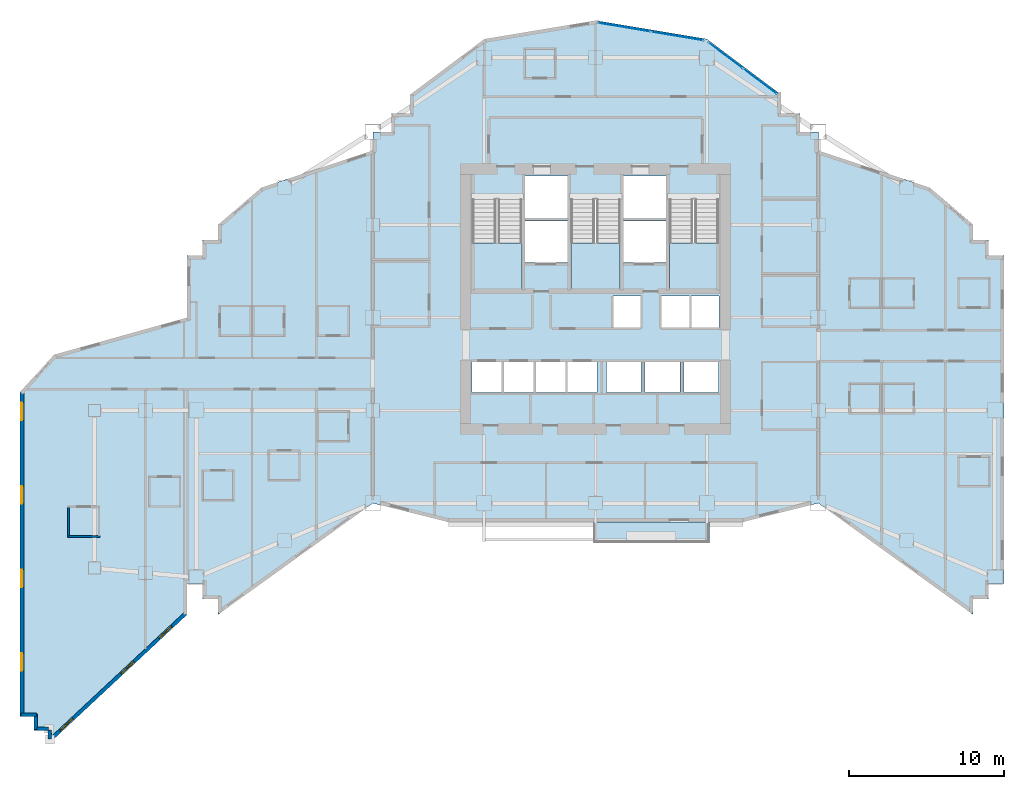
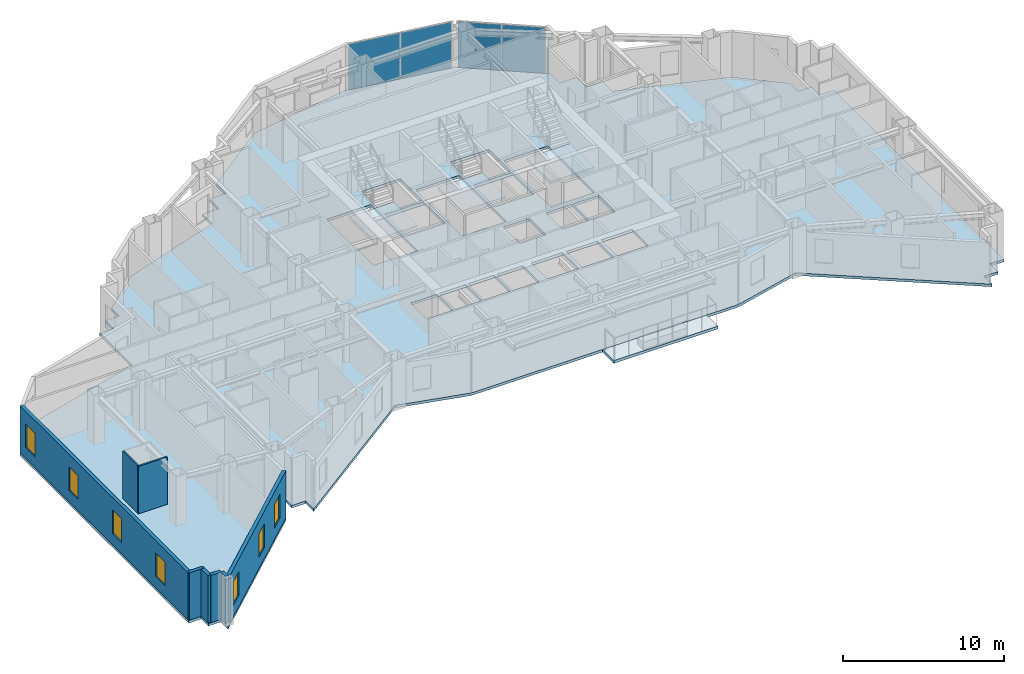
# One storey, part 6 of 15: 8 walls, 7 windows, 5 slabs, 4 plates, 7 openings, 5 elements without a shape of their own.
"""IFC4 building model written with IfcOpenShell, lengths in metres."""

from ifc_helpers import new_model, si_unit, direction, frame, frame_2d, origin, origin_2d, place, context, subcontext, project, spatial, polyline, rectangle, outline, extrude, material, layer, layer_set, type_object, element, fill, aggregate, save


model = new_model("IFC4")

# Units and contexts
model_context = context("Model", 3, precision=1e-05, world=origin(), true_north=direction((0.0, 1.0)))
body_context = subcontext(model_context, "Body", "Model", "MODEL_VIEW")
ifc_project = project(units=[si_unit("LENGTHUNIT", "METRE"), si_unit("AREAUNIT", "SQUARE_METRE"), si_unit("VOLUMEUNIT", "CUBIC_METRE"), si_unit("PLANEANGLEUNIT", "RADIAN"), si_unit("MASSUNIT", "GRAM", prefix="KILO")], contexts=[model_context])

# Site, building, storey
site_placement = place(None, origin())
site = spatial("IfcSite", under=ifc_project, at=site_placement, CompositionType="ELEMENT")
building_placement = place(site_placement, origin())
building = spatial("IfcBuilding", under=site, at=building_placement, Name="Haolan Belvedere Tower", CompositionType="ELEMENT")
storey_placement = place(building_placement, frame((0.0, 0.0, 152.39990234375)))
storey = spatial("IfcBuildingStorey", under=building, at=storey_placement, Name="L38", CompositionType="ELEMENT", Elevation=152.39990234375)

# Curtain wall, plates
ifc_material_1 = material(Name="Anodised champagne-silver aluminium 6063-T6 and Low-E glass", Category="aluminium")
ifc_layer_1 = layer(ifc_material_1, 0.155029296875, Name="Anodised champagne-silver aluminium 6063-T6 and Low-E glass")
ifc_layer_set_1 = layer_set([ifc_layer_1], Name="Anodised champagne-silver aluminium 6063-T6 and Low-E glass")
curtain_wall_type = type_object("IfcCurtainWallType", Name="CW-SYS-03", PredefinedType="NOTDEFINED", material=ifc_layer_set_1)
curtain_wall_1_placement = place(storey_placement, origin())
curtain_wall_1 = element("IfcCurtainWall", 1, at=curtain_wall_1_placement, inside=storey, type_object=curtain_wall_type, Name="L38 CW-SYS-03 ribbon curtain wall 26.1", PredefinedType="NOTDEFINED")
ifc_material_2 = material(Name="Double silver Low-E laminated insulating glass", Category="glass")
ifc_layer_2 = layer(ifc_material_2, 0.02392578125, Name="Double silver Low-E laminated insulating glass")
ifc_layer_set_2 = layer_set([ifc_layer_2], Name="Double silver Low-E laminated insulating glass")
plate_type = type_object("IfcPlateType", Name="CW-SYS-03-PNL", PredefinedType="CURTAIN_PANEL", material=ifc_layer_set_2)
plate_1_placement = place(storey_placement, frame((49.0302734375, 48.877197265625, 0.05419921875), z_axis=(0.0, 0.0, 1.0), x_axis=(-0.800004262313, 0.599994316874, 0.0)))
plate_1 = element("IfcPlate", 2, at=plate_1_placement, type_object=plate_type, Name="CW-03 panel 1.1", PredefinedType="CURTAIN_PANEL", context=body_context, shape_type="SweptSolid", body=[
    extrude(rectangle(XDim=2.728271484375, YDim=0.02392578125, at=origin_2d()), origin(), (0.0, 0.0, 1.0), 3.491943359375),
])
plate_2_placement = place(storey_placement, frame((46.80126953125, 50.549072265625, 0.05419921875), z_axis=(0.0, 0.0, 1.0), x_axis=(-0.800004262313, 0.599994316874, 0.0)))
plate_2 = element("IfcPlate", 3, at=plate_2_placement, type_object=plate_type, Name="CW-03 panel 2.1", PredefinedType="CURTAIN_PANEL", context=body_context, shape_type="SweptSolid", body=[
    extrude(rectangle(XDim=2.728271484375, YDim=0.02392578125, at=origin_2d()), origin(), (0.0, 0.0, 1.0), 3.491943359375),
])
aggregate(curtain_wall_1, [plate_1, plate_2])

curtain_wall_2_placement = place(storey_placement, origin())
curtain_wall_2 = element("IfcCurtainWall", 4, at=curtain_wall_2_placement, inside=storey, type_object=curtain_wall_type, Name="L38 CW-SYS-03 ribbon curtain wall 27.1", PredefinedType="NOTDEFINED")
plate_3_placement = place(storey_placement, frame((43.68017578125, 51.79833984375, 0.05419921875), z_axis=(0.0, 0.0, 1.0), x_axis=(-0.9863931483, 0.16440364043, 0.0)))
plate_3 = element("IfcPlate", 5, at=plate_3_placement, type_object=plate_type, Name="CW-03 panel 1.1", PredefinedType="CURTAIN_PANEL", context=body_context, shape_type="SweptSolid", body=[
    extrude(rectangle(XDim=3.39794921875, YDim=0.02392578125, at=origin_2d()), origin(), (0.0, 0.0, 1.0), 3.491943359375),
])
plate_4_placement = place(storey_placement, frame((40.271240234375, 52.366455078125, 0.05419921875), z_axis=(0.0, 0.0, 1.0), x_axis=(-0.9863931483, 0.16440364043, 0.0)))
plate_4 = element("IfcPlate", 6, at=plate_4_placement, type_object=plate_type, Name="CW-03 panel 2.1", PredefinedType="CURTAIN_PANEL", context=body_context, shape_type="SweptSolid", body=[
    extrude(rectangle(XDim=3.39794921875, YDim=0.02392578125, at=origin_2d()), origin(), (0.0, 0.0, 1.0), 3.491943359375),
])
aggregate(curtain_wall_2, [plate_3, plate_4])

# Slabs
ifc_material_3 = material(Name="Concrete C40/50", Category="concrete")
ifc_layer_3 = layer(ifc_material_3, 0.2099609375, Name="Concrete C40/50")
ifc_layer_set_3 = layer_set([ifc_layer_3], Name="Concrete C40/50")
slab_type_1 = type_object("IfcSlabType", Name="SL-BAL-210", PredefinedType="FLOOR", material=ifc_layer_set_3)
slab_1_placement = place(storey_placement, frame((0.0, 0.0, -0.22998046875)))
element("IfcSlab", 7, at=slab_1_placement, inside=storey, type_object=slab_type_1, Name="L38 structural tree-planter balcony slab BAL-L38-S1", PredefinedType="FLOOR", context=body_context, shape_type="SweptSolid", body=[
    extrude(outline(polyline([(38.25, 19.02001953125), (45.75, 19.02001953125), (45.75, 20.39990234375), (38.25, 20.39990234375), (38.25, 19.02001953125)])), origin(), (0.0, 0.0, 1.0), 0.2099609375),
])
ifc_layer_4 = layer(ifc_material_3, 0.199951171875, Name="Concrete C40/50")
ifc_layer_set_4 = layer_set([ifc_layer_4], Name="Concrete C40/50")
slab_type_2 = type_object("IfcSlabType", Name="SL-FLR-200", PredefinedType="FLOOR", material=ifc_layer_set_4)
slab_2_placement = place(storey_placement, frame((0.0, 0.0, -0.199951171875)))
element("IfcSlab", 8, at=slab_2_placement, inside=storey, type_object=slab_type_2, Name="L38 structural floor slab", PredefinedType="FLOOR", context=body_context, shape_type="SweptSolid", body=[
    extrude(outline(polyline([(12.0, 14.39990234375), (12.0, 16.39990234375), (13.0, 16.39990234375), (13.0, 15.39990234375), (14.0, 15.39990234375), (14.0, 14.39990234375), (24.0, 21.60009765625), (28.800048828125, 20.39990234375), (48.0, 20.39990234375), (52.800048828125, 21.60009765625), (62.800048828125, 14.39990234375), (62.800048828125, 15.39990234375), (63.800048828125, 15.39990234375), (63.800048828125, 16.39990234375), (64.800048828125, 16.39990234375), (64.800048828125, 37.60009765625), (63.800048828125, 37.60009765625), (63.800048828125, 38.60009765625), (62.800048828125, 38.60009765625), (62.800048828125, 39.60009765625), (60.0, 42.0), (52.800048828125, 44.39990234375), (52.800048828125, 45.60009765625), (51.60009765625, 45.60009765625), (51.60009765625, 46.800048828125), (50.39990234375, 46.800048828125), (50.39990234375, 48.0), (45.60009765625, 51.60009765625), (38.39990234375, 52.800048828125), (31.199951171875, 51.60009765625), (26.39990234375, 48.0), (26.39990234375, 46.800048828125), (25.199951171875, 46.800048828125), (25.199951171875, 45.60009765625), (24.0, 45.60009765625), (24.0, 44.39990234375), (16.800048828125, 42.0), (14.0, 39.60009765625), (14.0, 38.60009765625), (13.0, 38.60009765625), (13.0, 37.60009765625), (12.0, 37.60009765625), (12.0, 33.60009765625), (3.39990234375, 31.199951171875), (1.199951171875, 28.800048828125), (1.199951171875, 8.39990234375), (1.199951171875, 7.800048828125), (2.10009765625, 7.800048828125), (2.10009765625, 6.89990234375), (3.0, 6.89990234375), (3.0, 6.0), (12.0, 14.39990234375)]), holes=[polyline([(30.449951171875, 41.22998046875), (30.449951171875, 35.449951171875), (33.6298828125, 35.449951171875), (33.6298828125, 41.22998046875), (30.449951171875, 41.22998046875)]), polyline([(36.81005859375, 41.22998046875), (36.81005859375, 35.449951171875), (39.989990234375, 35.449951171875), (39.989990234375, 41.22998046875), (36.81005859375, 41.22998046875)]), polyline([(43.169921875, 41.22998046875), (43.169921875, 35.449951171875), (46.35009765625, 35.449951171875), (46.35009765625, 41.22998046875), (43.169921875, 41.22998046875)]), polyline([(33.830078125, 40.050048828125), (36.610107421875, 40.050048828125), (36.610107421875, 42.75), (33.830078125, 42.75), (33.830078125, 40.050048828125)]), polyline([(33.830078125, 37.14990234375), (36.610107421875, 37.14990234375), (36.610107421875, 39.85009765625), (33.830078125, 39.85009765625), (33.830078125, 37.14990234375)]), polyline([(40.18994140625, 40.050048828125), (42.969970703125, 40.050048828125), (42.969970703125, 42.75), (40.18994140625, 42.75), (40.18994140625, 40.050048828125)]), polyline([(40.18994140625, 37.14990234375), (42.969970703125, 37.14990234375), (42.969970703125, 39.85009765625), (40.18994140625, 39.85009765625), (40.18994140625, 37.14990234375)]), polyline([(39.5400390625, 32.949951171875), (41.389892578125, 32.949951171875), (41.389892578125, 35.0), (39.5400390625, 35.0), (39.5400390625, 32.949951171875)]), polyline([(42.6201171875, 32.949951171875), (44.469970703125, 32.949951171875), (44.469970703125, 35.0), (42.6201171875, 35.0), (42.6201171875, 32.949951171875)]), polyline([(44.580078125, 32.949951171875), (46.3798828125, 32.949951171875), (46.3798828125, 35.0), (44.580078125, 35.0), (44.580078125, 32.949951171875)]), polyline([(30.419921875, 28.75), (32.320068359375, 28.75), (32.320068359375, 30.75), (30.419921875, 30.75), (30.419921875, 28.75)]), polyline([(32.47998046875, 28.75), (34.3798828125, 28.75), (34.3798828125, 30.75), (32.47998046875, 30.75), (32.47998046875, 28.75)]), polyline([(34.5400390625, 28.75), (36.43994140625, 28.75), (36.43994140625, 30.75), (34.5400390625, 30.75), (34.5400390625, 28.75)]), polyline([(36.60009765625, 28.75), (38.5, 28.75), (38.5, 30.75), (36.60009765625, 30.75), (36.60009765625, 28.75)]), polyline([(39.10009765625, 28.75), (41.340087890625, 28.75), (41.340087890625, 30.75), (39.10009765625, 30.75), (39.10009765625, 28.75)]), polyline([(41.610107421875, 28.75), (43.85009765625, 28.75), (43.85009765625, 30.75), (41.610107421875, 30.75), (41.610107421875, 28.75)]), polyline([(44.1201171875, 28.75), (46.360107421875, 28.75), (46.360107421875, 30.75), (44.1201171875, 30.75), (44.1201171875, 28.75)])]), origin(), (0.0, 0.0, 1.0), 0.199951171875),
])

# Stair, slab
stair_type = type_object("IfcStairType", Name="STR-DL-22R-173", PredefinedType="HALF_TURN_STAIR", material=ifc_material_3)
stair_1_placement = place(storey_placement, origin())
stair_1 = element("IfcStair", 9, at=stair_1_placement, inside=storey, type_object=stair_type, Name="L38 Smokeproof Core Exit Stair ST1", PredefinedType="HALF_TURN_STAIR")
ifc_layer_5 = layer(ifc_material_3, 0.199951171875, Name="Concrete C40/50")
ifc_layer_set_5 = layer_set([ifc_layer_5], Name="Concrete C40/50")
slab_type_3 = type_object("IfcSlabType", Name="SL-LAND-200", PredefinedType="LANDING", material=ifc_layer_set_5)
slab_3_placement = place(storey_placement, frame((0.0, 0.0, 1.7001953125)))
slab_3 = element("IfcSlab", 10, at=slab_3_placement, type_object=slab_type_3, Name="ST1 landing 1", PredefinedType="LANDING", context=body_context, shape_type="SweptSolid", body=[
    extrude(outline(polyline([(30.449951171875, 38.429931640625), (30.449951171875, 35.449951171875), (33.6298828125, 35.449951171875), (33.6298828125, 38.429931640625), (30.449951171875, 38.429931640625)])), origin(), (0.0, 0.0, 1.0), 0.199951171875),
])
aggregate(stair_1, [slab_3])

stair_2_placement = place(storey_placement, origin())
stair_2 = element("IfcStair", 11, at=stair_2_placement, inside=storey, type_object=stair_type, Name="L38 Smokeproof Core Exit Stair ST3", PredefinedType="HALF_TURN_STAIR")
slab_4_placement = place(storey_placement, frame((0.0, 0.0, 1.7001953125)))
slab_4 = element("IfcSlab", 12, at=slab_4_placement, type_object=slab_type_3, Name="ST3 landing 1", PredefinedType="LANDING", context=body_context, shape_type="SweptSolid", body=[
    extrude(outline(polyline([(36.81005859375, 38.429931640625), (36.81005859375, 35.449951171875), (39.989990234375, 35.449951171875), (39.989990234375, 38.429931640625), (36.81005859375, 38.429931640625)])), origin(), (0.0, 0.0, 1.0), 0.199951171875),
])
aggregate(stair_2, [slab_4])

stair_3_placement = place(storey_placement, origin())
stair_3 = element("IfcStair", 13, at=stair_3_placement, inside=storey, type_object=stair_type, Name="L38 Smokeproof Core Exit Stair ST2", PredefinedType="HALF_TURN_STAIR")
slab_5_placement = place(storey_placement, frame((0.0, 0.0, 1.7001953125)))
slab_5 = element("IfcSlab", 14, at=slab_5_placement, type_object=slab_type_3, Name="ST2 landing 1", PredefinedType="LANDING", context=body_context, shape_type="SweptSolid", body=[
    extrude(outline(polyline([(43.169921875, 38.429931640625), (43.169921875, 35.449951171875), (46.35009765625, 35.449951171875), (46.35009765625, 38.429931640625), (43.169921875, 38.429931640625)])), origin(), (0.0, 0.0, 1.0), 0.199951171875),
])
aggregate(stair_3, [slab_5])

# Wall, openings, windows
ifc_material_4 = material(Name="Precast concrete C40/50", Category="concrete")
ifc_layer_6 = layer(ifc_material_4, 0.239990234375, Name="Precast concrete C40/50")
ifc_layer_set_6 = layer_set([ifc_layer_6], Name="Precast concrete C40/50")
wall_type_1 = type_object("IfcWallType", Name="WL-EXT-240", PredefinedType="SOLIDWALL", material=ifc_layer_set_6)
wall_1_placement = place(storey_placement, frame((1.320068359375, 28.808349609375, 0.0), z_axis=(0.0, 0.0, 1.0), x_axis=(0.0, -1.0, 0.0)))
wall_1 = element("IfcWall", 15, at=wall_1_placement, inside=storey, type_object=wall_type_1, Name="L38 pale-metal exterior spandrel wall 44.1", PredefinedType="SOLIDWALL", context=body_context, shape_type="SweptSolid", body=[
    extrude(rectangle(XDim=20.943359375, YDim=0.239990234375, at=frame_2d((10.4716796875, 0.0))), origin(), (0.0, 0.0, 1.0), 3.60009765625),
])
opening_1_placement = place(wall_1_placement, frame((0.699951171875, 0.0, 0.85009765625)))
opening_1 = element("IfcOpeningElement", 16, at=opening_1_placement, cuts=wall_1, Name="Opening W-02", PredefinedType="OPENING", context=body_context, shape_type="SweptSolid", body=[
    extrude(rectangle(XDim=1.14990234375, YDim=1.800048828125, at=frame_2d((0.574951171875, 0.89990234375))), frame((0.0, 0.1298828125, 0.0), z_axis=(0.0, -1.0, 0.0), x_axis=(1.0, 0.0, 0.0)), (0.0, 0.0, 1.0), 0.260009765625),
])
opening_2_placement = place(wall_1_placement, frame((6.10009765625, 0.0, 0.85009765625)))
opening_2 = element("IfcOpeningElement", 17, at=opening_2_placement, cuts=wall_1, Name="Opening W-02", PredefinedType="OPENING", context=body_context, shape_type="SweptSolid", body=[
    extrude(rectangle(XDim=1.14990234375, YDim=1.800048828125, at=frame_2d((0.574951171875, 0.89990234375))), frame((0.0, 0.1298828125, 0.0), z_axis=(0.0, -1.0, 0.0), x_axis=(1.0, 0.0, 0.0)), (0.0, 0.0, 1.0), 0.260009765625),
])
opening_3_placement = place(wall_1_placement, frame((11.5, 0.0, 0.85009765625)))
opening_3 = element("IfcOpeningElement", 18, at=opening_3_placement, cuts=wall_1, Name="Opening W-02", PredefinedType="OPENING", context=body_context, shape_type="SweptSolid", body=[
    extrude(rectangle(XDim=1.14990234375, YDim=1.800048828125, at=frame_2d((0.574951171875, 0.89990234375))), frame((0.0, 0.1298828125, 0.0), z_axis=(0.0, -1.0, 0.0), x_axis=(1.0, 0.0, 0.0)), (0.0, 0.0, 1.0), 0.260009765625),
])
opening_4_placement = place(wall_1_placement, frame((16.89990234375, 0.0, 0.85009765625)))
opening_4 = element("IfcOpeningElement", 19, at=opening_4_placement, cuts=wall_1, Name="Opening W-02", PredefinedType="OPENING", context=body_context, shape_type="SweptSolid", body=[
    extrude(rectangle(XDim=1.14990234375, YDim=1.800048828125, at=frame_2d((0.574951171875, 0.89990234375))), frame((0.0, 0.1298828125, 0.0), z_axis=(0.0, -1.0, 0.0), x_axis=(1.0, 0.0, 0.0)), (0.0, 0.0, 1.0), 0.260009765625),
])
ifc_material_5 = material(Name="Anodised aluminium 6063-T6 and Low-E glass", Category="aluminium")
window_type = type_object("IfcWindowType", Name="WN-DECO-Z2", PartitioningType="SINGLE_PANEL", PredefinedType="WINDOW", material=ifc_material_5)
window_1_placement = place(opening_1_placement, origin())
window_1 = element("IfcWindow", 20, at=window_1_placement, inside=storey, type_object=window_type, Name="L38 Art Deco chevron window 1", OverallHeight=1.800048828125, OverallWidth=1.14990234375, PartitioningType="SINGLE_PANEL", PredefinedType="WINDOW", context=body_context, shape_type="SweptSolid", body=[
    extrude(rectangle(XDim=1.14990234375, YDim=1.800048828125, at=frame_2d((0.574951171875, 0.89990234375))), frame((0.0, 0.030029296875, 0.0), z_axis=(0.0, -1.0, 0.0), x_axis=(1.0, 0.0, 0.0)), (0.0, 0.0, 1.0), 0.06005859375),
])
fill(opening_1, window_1)
window_2_placement = place(opening_2_placement, origin())
window_2 = element("IfcWindow", 21, at=window_2_placement, inside=storey, type_object=window_type, Name="L38 Art Deco chevron window 2", OverallHeight=1.800048828125, OverallWidth=1.14990234375, PartitioningType="SINGLE_PANEL", PredefinedType="WINDOW", context=body_context, shape_type="SweptSolid", body=[
    extrude(rectangle(XDim=1.14990234375, YDim=1.800048828125, at=frame_2d((0.574951171875, 0.89990234375))), frame((0.0, 0.030029296875, 0.0), z_axis=(0.0, -1.0, 0.0), x_axis=(1.0, 0.0, 0.0)), (0.0, 0.0, 1.0), 0.06005859375),
])
fill(opening_2, window_2)
window_3_placement = place(opening_3_placement, origin())
window_3 = element("IfcWindow", 22, at=window_3_placement, inside=storey, type_object=window_type, Name="L38 Art Deco chevron window 3", OverallHeight=1.800048828125, OverallWidth=1.14990234375, PartitioningType="SINGLE_PANEL", PredefinedType="WINDOW", context=body_context, shape_type="SweptSolid", body=[
    extrude(rectangle(XDim=1.14990234375, YDim=1.800048828125, at=frame_2d((0.574951171875, 0.89990234375))), frame((0.0, 0.030029296875, 0.0), z_axis=(0.0, -1.0, 0.0), x_axis=(1.0, 0.0, 0.0)), (0.0, 0.0, 1.0), 0.06005859375),
])
fill(opening_3, window_3)
window_4_placement = place(opening_4_placement, origin())
window_4 = element("IfcWindow", 23, at=window_4_placement, inside=storey, type_object=window_type, Name="L38 Art Deco chevron window 4", OverallHeight=1.800048828125, OverallWidth=1.14990234375, PartitioningType="SINGLE_PANEL", PredefinedType="WINDOW", context=body_context, shape_type="SweptSolid", body=[
    extrude(rectangle(XDim=1.14990234375, YDim=1.800048828125, at=frame_2d((0.574951171875, 0.89990234375))), frame((0.0, 0.030029296875, 0.0), z_axis=(0.0, -1.0, 0.0), x_axis=(1.0, 0.0, 0.0)), (0.0, 0.0, 1.0), 0.06005859375),
])
fill(opening_4, window_4)

# Walls
for number, where, z_axis, x_axis, name in (
    (24, (1.264892578125, 7.919921875, 0.0), (0.0, 0.0, 1.0), (1.0, 0.0, 0.0), "L38 pale-metal exterior spandrel wall 45.1"),
    (25, (2.219970703125, 7.97509765625, 0.0), (0.0, 0.0, 1.0), (0.0, -1.0, 0.0), "L38 pale-metal exterior spandrel wall 46.1"),
):
    element("IfcWall", number, at=place(storey_placement, frame(where, z_axis=z_axis, x_axis=x_axis)), inside=storey, type_object=wall_type_1, Name=name, PredefinedType="SOLIDWALL", context=body_context, shape_type="SweptSolid", body=[
        extrude(rectangle(XDim=1.010009765625, YDim=0.239990234375, at=frame_2d((0.5048828125, 0.0))), origin(), (0.0, 0.0, 1.0), 3.60009765625),
    ])
wall_2_placement = place(storey_placement, frame((2.300048828125, 7.02001953125, 0.0), z_axis=(0.0, 0.0, 1.0), x_axis=(1.0, 0.0, 0.0)))
element("IfcWall", 26, at=wall_2_placement, inside=storey, type_object=wall_type_1, Name="L38 pale-metal exterior spandrel wall 47.1", PredefinedType="SOLIDWALL", context=body_context, shape_type="SweptSolid", body=[
    extrude(rectangle(XDim=0.73486328125, YDim=0.239990234375, at=frame_2d((0.367431640625, 0.0))), origin(), (0.0, 0.0, 1.0), 3.60009765625),
])
wall_3_placement = place(storey_placement, frame((3.1201171875, 6.93505859375, 0.0), z_axis=(0.0, 0.0, 1.0), x_axis=(0.0, -1.0, 0.0)))
element("IfcWall", 27, at=wall_3_placement, inside=storey, type_object=wall_type_1, Name="L38 pale-metal exterior spandrel wall 48.1", PredefinedType="SOLIDWALL", context=body_context, shape_type="SweptSolid", body=[
    extrude(rectangle(XDim=0.573974609375, YDim=0.239990234375, at=frame_2d((0.287109375, 0.0))), origin(), (0.0, 0.0, 1.0), 3.60009765625),
])

# Wall, openings, windows
wall_4_placement = place(storey_placement, frame((3.269775390625, 6.416015625, 0.0), z_axis=(0.0, 0.0, 1.0), x_axis=(0.731064187858, 0.682308693505, 0.0)))
wall_4 = element("IfcWall", 28, at=wall_4_placement, inside=storey, type_object=wall_type_1, Name="L38 pale-metal exterior spandrel wall 49.1", PredefinedType="SOLIDWALL", context=body_context, shape_type="SweptSolid", body=[
    extrude(rectangle(XDim=11.83251953125, YDim=0.239990234375, at=frame_2d((5.916259765625, 0.0))), origin(), (0.0, 0.0, 1.0), 3.60009765625),
])
opening_5_placement = place(wall_4_placement, frame((0.699951171875, 0.0, 0.85009765625)))
opening_5 = element("IfcOpeningElement", 29, at=opening_5_placement, cuts=wall_4, Name="Opening W-02", PredefinedType="OPENING", context=body_context, shape_type="SweptSolid", body=[
    extrude(rectangle(XDim=1.14990234375, YDim=1.800048828125, at=frame_2d((0.574951171875, 0.89990234375))), frame((0.0, 0.1298828125, 0.0), z_axis=(0.0, -1.0, 0.0), x_axis=(1.0, 0.0, 0.0)), (0.0, 0.0, 1.0), 0.260009765625),
])
opening_6_placement = place(wall_4_placement, frame((6.10009765625, 0.0, 0.85009765625)))
opening_6 = element("IfcOpeningElement", 30, at=opening_6_placement, cuts=wall_4, Name="Opening W-02", PredefinedType="OPENING", context=body_context, shape_type="SweptSolid", body=[
    extrude(rectangle(XDim=1.14990234375, YDim=1.800048828125, at=frame_2d((0.574951171875, 0.89990234375))), frame((0.0, 0.1298828125, 0.0), z_axis=(0.0, -1.0, 0.0), x_axis=(1.0, 0.0, 0.0)), (0.0, 0.0, 1.0), 0.260009765625),
])
opening_7_placement = place(wall_4_placement, frame((9.44580078125, 0.0, 0.85009765625)))
opening_7 = element("IfcOpeningElement", 31, at=opening_7_placement, cuts=wall_4, Name="Opening W-02", PredefinedType="OPENING", context=body_context, shape_type="SweptSolid", body=[
    extrude(rectangle(XDim=1.14990234375, YDim=1.800048828125, at=frame_2d((0.574951171875, 0.89990234375))), frame((0.0, 0.1298828125, 0.0), z_axis=(0.0, -1.0, 0.0), x_axis=(1.0, 0.0, 0.0)), (0.0, 0.0, 1.0), 0.260009765625),
])
window_5_placement = place(opening_5_placement, origin())
window_5 = element("IfcWindow", 32, at=window_5_placement, inside=storey, type_object=window_type, Name="L38 Art Deco chevron window 1", OverallHeight=1.800048828125, OverallWidth=1.14990234375, PartitioningType="SINGLE_PANEL", PredefinedType="WINDOW", context=body_context, shape_type="SweptSolid", body=[
    extrude(rectangle(XDim=1.14990234375, YDim=1.800048828125, at=frame_2d((0.574951171875, 0.89990234375))), frame((0.0, 0.030029296875, 0.0), z_axis=(0.0, -1.0, 0.0), x_axis=(1.0, 0.0, 0.0)), (0.0, 0.0, 1.0), 0.06005859375),
])
fill(opening_5, window_5)
window_6_placement = place(opening_6_placement, origin())
window_6 = element("IfcWindow", 33, at=window_6_placement, inside=storey, type_object=window_type, Name="L38 Art Deco chevron window 2", OverallHeight=1.800048828125, OverallWidth=1.14990234375, PartitioningType="SINGLE_PANEL", PredefinedType="WINDOW", context=body_context, shape_type="SweptSolid", body=[
    extrude(rectangle(XDim=1.14990234375, YDim=1.800048828125, at=frame_2d((0.574951171875, 0.89990234375))), frame((0.0, 0.030029296875, 0.0), z_axis=(0.0, -1.0, 0.0), x_axis=(1.0, 0.0, 0.0)), (0.0, 0.0, 1.0), 0.06005859375),
])
fill(opening_6, window_6)
window_7_placement = place(opening_7_placement, origin())
window_7 = element("IfcWindow", 34, at=window_7_placement, inside=storey, type_object=window_type, Name="L38 Art Deco guestroom window 2", OverallHeight=1.800048828125, OverallWidth=1.14990234375, PartitioningType="SINGLE_PANEL", PredefinedType="WINDOW", context=body_context, shape_type="SweptSolid", body=[
    extrude(rectangle(XDim=1.14990234375, YDim=1.800048828125, at=frame_2d((0.574951171875, 0.89990234375))), frame((0.0, 0.030029296875, 0.0), z_axis=(0.0, -1.0, 0.0), x_axis=(1.0, 0.0, 0.0)), (0.0, 0.0, 1.0), 0.06005859375),
])
fill(opening_7, window_7)

# Walls
ifc_material_6 = material(Name="Moisture-resistant gypsum tile partition", Category="masonry")
ifc_layer_7 = layer(ifc_material_6, 0.1201171875, Name="Moisture-resistant gypsum tile partition")
ifc_layer_set_7 = layer_set([ifc_layer_7], Name="Moisture-resistant gypsum tile partition")
wall_type_2 = type_object("IfcWallType", Name="WL-WET-120", PredefinedType="PARTITIONING", material=ifc_layer_set_7)
wall_5_placement = place(storey_placement, frame((4.264892578125, 19.444091796875, 0.0), z_axis=(0.0, 0.0, 1.0), x_axis=(1.0, 0.0, 0.0)))
element("IfcWall", 35, at=wall_5_placement, inside=storey, type_object=wall_type_2, Name="L38 interior partition IW-L38-T1S1-BS", PredefinedType="PARTITIONING", context=body_context, shape_type="SweptSolid", body=[
    extrude(rectangle(XDim=2.10009765625, YDim=0.1201171875, at=frame_2d((1.050048828125, 0.0))), origin(), (0.0, 0.0, 1.0), 3.60009765625),
])
wall_6_placement = place(storey_placement, frame((4.324951171875, 19.489013671875, 0.0), z_axis=(0.0, 0.0, 1.0), x_axis=(0.0, 1.0, 0.0)))
element("IfcWall", 36, at=wall_6_placement, inside=storey, type_object=wall_type_2, Name="L38 interior partition IW-L38-T1S1-BW", PredefinedType="PARTITIONING", context=body_context, shape_type="SweptSolid", body=[
    extrude(rectangle(XDim=1.830078125, YDim=0.1201171875, at=frame_2d((0.9150390625, 0.0))), origin(), (0.0, 0.0, 1.0), 3.60009765625),
])

save(model, "model.ifc")
